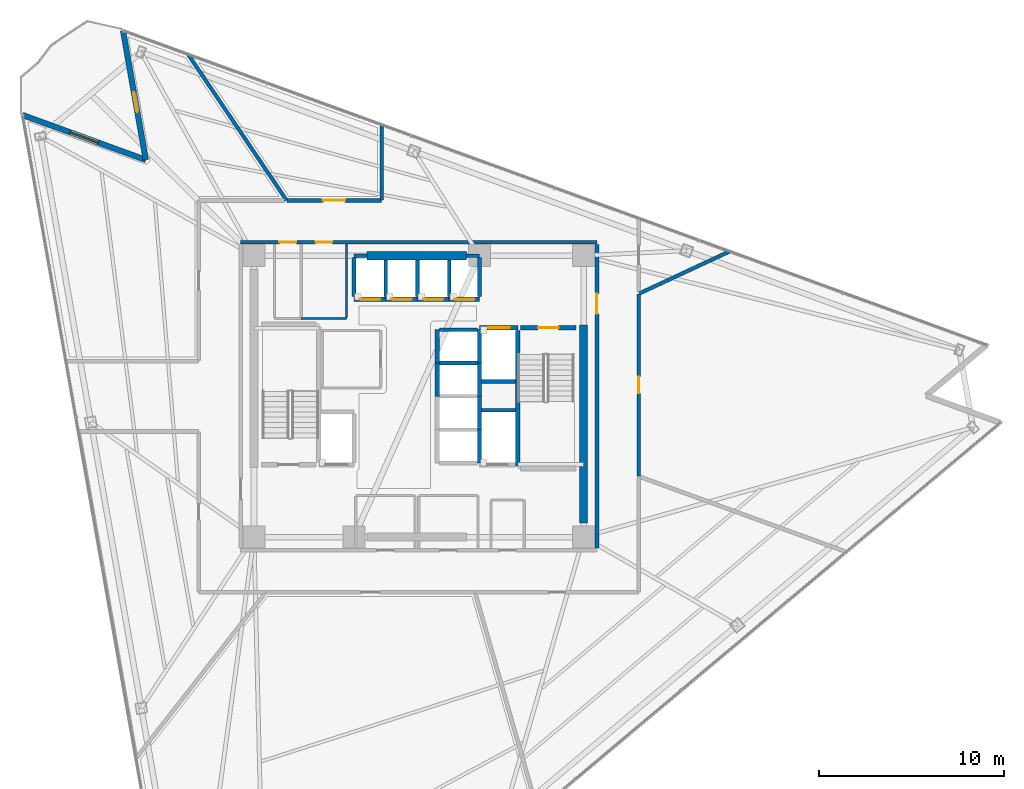
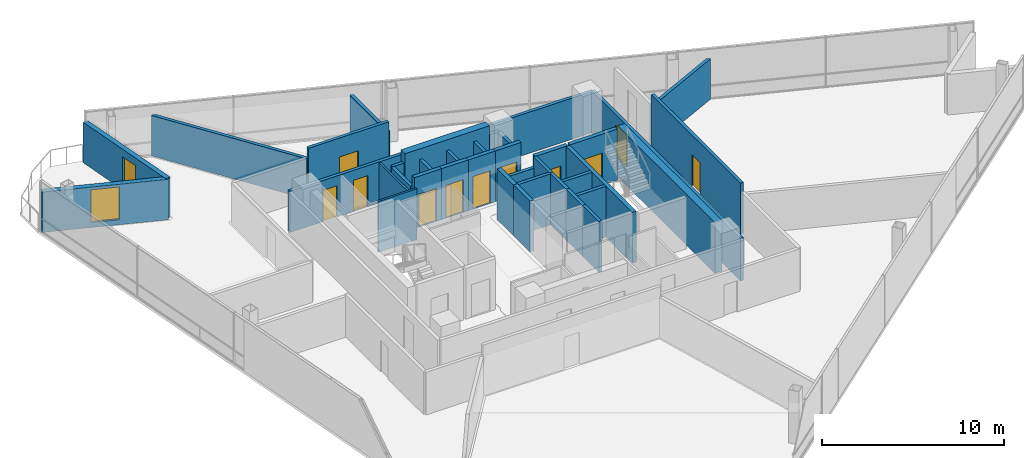
# One storey, part 11 of 16: 37 walls, 12 doors, 1 window, 13 openings.
"""IFC4 building model written with IfcOpenShell, lengths in metres."""

from ifc_helpers import new_model, si_unit, direction, frame, frame_2d, origin, place, context, subcontext, project, spatial, rectangle, extrude, material, layer, layer_set, type_object, element, fill, save


model = new_model("IFC4")

# Units and contexts
model_context = context("Model", 3, precision=1e-05, world=origin(), true_north=direction((0.0, 1.0)))
body_context = subcontext(model_context, "Body", "Model", "MODEL_VIEW")
ifc_project = project(units=[si_unit("LENGTHUNIT", "METRE"), si_unit("AREAUNIT", "SQUARE_METRE"), si_unit("VOLUMEUNIT", "CUBIC_METRE"), si_unit("PLANEANGLEUNIT", "RADIAN"), si_unit("MASSUNIT", "GRAM", prefix="KILO")], contexts=[model_context])

# Site, building, storey
site_placement = place(None, origin())
site = spatial("IfcSite", under=ifc_project, at=site_placement, CompositionType="ELEMENT")
building_placement = place(site_placement, origin())
building = spatial("IfcBuilding", under=site, at=building_placement, Name="Tharavind Bronze Gate", CompositionType="ELEMENT")
storey_placement = place(building_placement, frame((0.0, 0.0, 188.5)))
storey = spatial("IfcBuildingStorey", under=building, at=storey_placement, Name="L48", CompositionType="ELEMENT", Elevation=188.5)

# Wall, opening, door
ifc_material_1 = material(Name="Concrete C40/50", Category="concrete")
ifc_layer_1 = layer(ifc_material_1, 0.300048828125)
ifc_layer_set_1 = layer_set([ifc_layer_1], Name="Concrete C40/50")
wall_type_1 = type_object("IfcWallType", Name="EXTERIOR SPANDREL WALL 300", PredefinedType="STANDARD", material=ifc_layer_set_1)
wall_1_placement = place(storey_placement, frame((-15.97314453125, 19.743408203125, 0.0), z_axis=(0.0, 0.0, 1.0), x_axis=(0.173651569749, -0.984807154891, 0.0)))
wall_1 = element("IfcWall", 1, at=wall_1_placement, inside=storey, type_object=wall_type_1, Name="L48 notch cheek wall 1A", PredefinedType="STANDARD", context=body_context, shape_type="SweptSolid", body=[
    extrude(rectangle(XDim=7.080322265625, YDim=0.300048828125, at=frame_2d((3.5400390625, 0.0))), origin(), (0.0, 0.0, 1.0), 2.715087890625),
])
opening_1_placement = place(wall_1_placement, frame((3.3720703125, 0.0, 0.0)))
opening_1 = element("IfcOpeningElement", 2, at=opening_1_placement, cuts=wall_1, Name="Opening ED04", PredefinedType="OPENING", context=body_context, shape_type="SweptSolid", body=[
    extrude(rectangle(XDim=1.10009765625, YDim=2.199951171875, at=frame_2d((0.550048828125, 1.10009765625))), frame((0.0, 0.15990234375, 0.0), z_axis=(0.0, -1.0, 0.0), x_axis=(1.0, 0.0, 0.0)), (0.0, 0.0, 1.0), 0.320048828125),
])
ifc_material_2 = material(Name="Bronze Aluminium & Toughened Glass", Category="aluminium")
door_type_1 = type_object("IfcDoorType", Name="TREE BALCONY ACCESS DOOR 1100X2200", OperationType="SINGLE_SWING_LEFT", PredefinedType="DOOR", material=ifc_material_2)
door_1_placement = place(opening_1_placement, origin())
door_1 = element("IfcDoor", 3, at=door_1_placement, inside=storey, type_object=door_type_1, Name="L48 tree balcony access door", OperationType="SINGLE_SWING_LEFT", OverallHeight=2.199951171875, OverallWidth=1.10009765625, PredefinedType="DOOR", context=body_context, shape_type="SweptSolid", body=[
    extrude(rectangle(XDim=1.10009765625, YDim=2.199951171875, at=frame_2d((0.550048828125, 1.10009765625))), frame((0.0, 0.02490234375, 0.0), z_axis=(0.0, -1.0, 0.0), x_axis=(1.0, 0.0, 0.0)), (0.0, 0.0, 1.0), 0.050048828125),
])
fill(opening_1, door_1)

# Wall, opening, window
wall_2_placement = place(storey_placement, frame((-14.74365234375, 12.770751953125, 0.0), z_axis=(0.0, 0.0, 1.0), x_axis=(-0.939687665182, 0.342033758429, 0.0)))
wall_2 = element("IfcWall", 4, at=wall_2_placement, inside=storey, type_object=wall_type_1, Name="L48 notch cheek wall 1B", PredefinedType="STANDARD", context=body_context, shape_type="SweptSolid", body=[
    extrude(rectangle(XDim=7.080078125, YDim=0.300048828125, at=frame_2d((3.5400390625, 0.0))), origin(), (0.0, 0.0, 1.0), 2.715087890625),
])
opening_2_placement = place(wall_2_placement, frame((2.739990234375, 0.0, 0.3349609375)))
opening_2 = element("IfcOpeningElement", 5, at=opening_2_placement, cuts=wall_2, Name="Opening W05", PredefinedType="OPENING", context=body_context, shape_type="SweptSolid", body=[
    extrude(rectangle(XDim=1.60009765625, YDim=2.199951171875, at=frame_2d((0.800048828125, 1.10009765625))), frame((0.0, 0.15990234375, 0.0), z_axis=(0.0, -1.0, 0.0), x_axis=(1.0, 0.0, 0.0)), (0.0, 0.0, 1.0), 0.320048828125),
])
ifc_material_3 = material(Name="Bronze Aluminium & Low-E Glass", Category="aluminium")
window_type = type_object("IfcWindowType", Name="OFFICE NOTCH BRONZE WINDOW 1600X2200", PartitioningType="DOUBLE_PANEL_VERTICAL", PredefinedType="WINDOW", material=ifc_material_3)
window_placement = place(opening_2_placement, origin())
window = element("IfcWindow", 6, at=window_placement, inside=storey, type_object=window_type, Name="L48 exterior window WL-L48-NCB1-01", OverallHeight=2.199951171875, OverallWidth=1.60009765625, PartitioningType="SINGLE_PANEL", PredefinedType="WINDOW", context=body_context, shape_type="SweptSolid", body=[
    extrude(rectangle(XDim=1.60009765625, YDim=2.199951171875, at=frame_2d((0.800048828125, 1.10009765625))), frame((0.0, 0.030029296875, 0.0), z_axis=(0.0, -1.0, 0.0), x_axis=(1.0, 0.0, 0.0)), (0.0, 0.0, 1.0), 0.06005859375),
])
fill(opening_2, window)

# Wall, openings, doors
ifc_material_4 = material(Name="Aerated Concrete Block", Category="concrete")
ifc_layer_2 = layer(ifc_material_4, 0.199951171875)
ifc_layer_set_2 = layer_set([ifc_layer_2], Name="Aerated Concrete Block")
wall_type_2 = type_object("IfcWallType", Name="FIRE RATED PARTITION 200", PredefinedType="PARTITIONING", material=ifc_layer_set_2)
wall_3_placement = place(storey_placement, frame((9.6201171875, 8.320068359375, 0.0), z_axis=(0.0, 0.0, 1.0), x_axis=(-1.0, 0.0, 0.0)))
wall_3 = element("IfcWall", 7, at=wall_3_placement, inside=storey, type_object=wall_type_2, Name="L48 north core corridor wall", PredefinedType="PARTITIONING", context=body_context, shape_type="SweptSolid", body=[
    extrude(rectangle(XDim=19.240234375, YDim=0.199951171875, at=frame_2d((9.6201171875, 0.0))), origin(), (0.0, 0.0, 1.0), 2.764892578125),
])
opening_3_placement = place(wall_3_placement, frame((16.2451171875, 0.0, 0.0)))
opening_3 = element("IfcOpeningElement", 8, at=opening_3_placement, cuts=wall_3, Name="Opening ID07", PredefinedType="OPENING", context=body_context, shape_type="SweptSolid", body=[
    extrude(rectangle(XDim=0.89990234375, YDim=2.10009765625, at=frame_2d((0.449951171875, 1.050048828125))), frame((0.0, 0.11009765625, 0.0), z_axis=(0.0, -1.0, 0.0), x_axis=(1.0, 0.0, 0.0)), (0.0, 0.0, 1.0), 0.219951171875),
])
opening_4_placement = place(wall_3_placement, frame((14.294921875, 0.0, 0.0)))
opening_4 = element("IfcOpeningElement", 9, at=opening_4_placement, cuts=wall_3, Name="Opening ID07", PredefinedType="OPENING", context=body_context, shape_type="SweptSolid", body=[
    extrude(rectangle(XDim=0.89990234375, YDim=2.10009765625, at=frame_2d((0.449951171875, 1.050048828125))), frame((0.0, 0.11009765625, 0.0), z_axis=(0.0, -1.0, 0.0), x_axis=(1.0, 0.0, 0.0)), (0.0, 0.0, 1.0), 0.219951171875),
])
ifc_material_5 = material(Name="Galvanised Fire Steel", Category="steel")
door_type_2 = type_object("IfcDoorType", Name="PLANT AND RISER FIRE DOOR 900X2100", OperationType="SINGLE_SWING_LEFT", PredefinedType="DOOR", material=ifc_material_5)
door_2_placement = place(opening_3_placement, frame((0.89990234375, 0.0, 0.0), z_axis=(0.0, 0.0, 1.0), x_axis=(-1.0, 0.0, 0.0)))
door_2 = element("IfcDoor", 10, at=door_2_placement, inside=storey, type_object=door_type_2, Name="L48 Battery Backup Cupboard fire door", OperationType="SINGLE_SWING_LEFT", OverallHeight=2.10009765625, OverallWidth=0.89990234375, PredefinedType="DOOR", context=body_context, shape_type="SweptSolid", body=[
    extrude(rectangle(XDim=0.89990234375, YDim=2.10009765625, at=frame_2d((0.449951171875, 1.050048828125))), frame((0.0, 0.02490234375, 0.0), z_axis=(0.0, -1.0, 0.0), x_axis=(1.0, 0.0, 0.0)), (0.0, 0.0, 1.0), 0.050048828125),
])
fill(opening_3, door_2)
door_3_placement = place(opening_4_placement, frame((0.89990234375, 0.0, 0.0), z_axis=(0.0, 0.0, 1.0), x_axis=(-1.0, 0.0, 0.0)))
door_3 = element("IfcDoor", 11, at=door_3_placement, inside=storey, type_object=door_type_2, Name="L48 Cleaner Store Room fire door", OperationType="SINGLE_SWING_LEFT", OverallHeight=2.10009765625, OverallWidth=0.89990234375, PredefinedType="DOOR", context=body_context, shape_type="SweptSolid", body=[
    extrude(rectangle(XDim=0.89990234375, YDim=2.10009765625, at=frame_2d((0.449951171875, 1.050048828125))), frame((0.0, 0.02490234375, 0.0), z_axis=(0.0, -1.0, 0.0), x_axis=(1.0, 0.0, 0.0)), (0.0, 0.0, 1.0), 0.050048828125),
])
fill(opening_4, door_3)

# Wall, opening, door
wall_4_placement = place(storey_placement, frame((9.6201171875, -8.199951171875, 0.0), z_axis=(0.0, 0.0, 1.0), x_axis=(0.0, 1.0, 0.0)))
wall_4 = element("IfcWall", 12, at=wall_4_placement, inside=storey, type_object=wall_type_2, Name="L48 east core corridor wall", PredefinedType="PARTITIONING", context=body_context, shape_type="SweptSolid", body=[
    extrude(rectangle(XDim=16.39990234375, YDim=0.199951171875, at=frame_2d((8.199951171875, 0.0))), origin(), (0.0, 0.0, 1.0), 2.864990234375),
])
opening_5_placement = place(wall_4_placement, frame((12.64990234375, 0.0, 0.0)))
opening_5 = element("IfcOpeningElement", 13, at=opening_5_placement, cuts=wall_4, Name="Opening ID01", PredefinedType="OPENING", context=body_context, shape_type="SweptSolid", body=[
    extrude(rectangle(XDim=1.10009765625, YDim=2.14990234375, at=frame_2d((0.550048828125, 1.074951171875))), frame((0.0, 0.11009765625, 0.0), z_axis=(0.0, -1.0, 0.0), x_axis=(1.0, 0.0, 0.0)), (0.0, 0.0, 1.0), 0.219951171875),
])
ifc_material_6 = material(Name="Fire-Rated Steel", Category="steel")
door_type_3 = type_object("IfcDoorType", Name="STAIR CORE FIRE DOOR 1100X2150", OperationType="SINGLE_SWING_LEFT", PredefinedType="DOOR", material=ifc_material_6)
door_4_placement = place(opening_5_placement, frame((1.10009765625, 0.0, 0.0), z_axis=(0.0, 0.0, 1.0), x_axis=(-1.0, 0.0, 0.0)))
door_4 = element("IfcDoor", 14, at=door_4_placement, inside=storey, type_object=door_type_3, Name="L48 north east stair lobby fire door", OperationType="SINGLE_SWING_LEFT", OverallHeight=2.14990234375, OverallWidth=1.10009765625, PredefinedType="DOOR", context=body_context, shape_type="SweptSolid", body=[
    extrude(rectangle(XDim=1.10009765625, YDim=2.14990234375, at=frame_2d((0.550048828125, 1.074951171875))), frame((0.0, 0.02490234375, 0.0), z_axis=(0.0, -1.0, 0.0), x_axis=(1.0, 0.0, 0.0)), (0.0, 0.0, 1.0), 0.050048828125),
])
fill(opening_5, door_4)

# Walls
wall_5_placement = place(storey_placement, frame((16.77685546875, 7.8232421875, 0.0), z_axis=(0.0, 0.0, 1.0), x_axis=(-0.906309845739, -0.42261384681, 0.0)))
element("IfcWall", 15, at=wall_5_placement, inside=storey, type_object=wall_type_2, Name="L48 Cloud Engineering Open Office partition", PredefinedType="PARTITIONING", context=body_context, shape_type="SweptSolid", body=[
    extrude(rectangle(XDim=5.36376953125, YDim=0.199951171875, at=frame_2d((2.681884765625, 0.0))), origin(), (0.0, 0.0, 1.0), 2.715087890625),
])
wall_6_placement = place(storey_placement, frame((-2.0, 14.657470703125, 0.0), z_axis=(0.0, 0.0, 1.0), x_axis=(0.0, -1.0, 0.0)))
element("IfcWall", 16, at=wall_6_placement, inside=storey, type_object=wall_type_2, Name="L48 Scrum Huddle Room partition", PredefinedType="PARTITIONING", context=body_context, shape_type="SweptSolid", body=[
    extrude(rectangle(XDim=4.052490234375, YDim=0.199951171875, at=frame_2d((2.0263671875, 0.0))), origin(), (0.0, 0.0, 1.0), 2.715087890625),
])

# Wall, opening, door
wall_7_placement = place(storey_placement, frame((-2.02490234375, 10.580078125, 0.0), z_axis=(0.0, 0.0, 1.0), x_axis=(-1.0, 0.0, 0.0)))
wall_7 = element("IfcWall", 17, at=wall_7_placement, inside=storey, type_object=wall_type_2, Name="L48 Scrum Huddle Room partition", PredefinedType="PARTITIONING", context=body_context, shape_type="SweptSolid", body=[
    extrude(rectangle(XDim=5.09814453125, YDim=0.199951171875, at=frame_2d((2.549072265625, 0.0))), origin(), (0.0, 0.0, 1.0), 3.419921875),
])
opening_6_placement = place(wall_7_placement, frame((1.948974609375, 0.0, 0.0)))
opening_6 = element("IfcOpeningElement", 18, at=opening_6_placement, cuts=wall_7, Name="Opening ID05", PredefinedType="OPENING", context=body_context, shape_type="SweptSolid", body=[
    extrude(rectangle(XDim=1.199951171875, YDim=2.14990234375, at=frame_2d((0.60009765625, 1.074951171875))), frame((0.0, 0.11009765625, 0.0), z_axis=(0.0, -1.0, 0.0), x_axis=(1.0, 0.0, 0.0)), (0.0, 0.0, 1.0), 0.219951171875),
])
ifc_material_7 = material(Name="Acoustic Laminated Glass", Category="glass")
door_type_4 = type_object("IfcDoorType", Name="MEETING ROOM GLAZED DOOR 1200X2150", OperationType="SINGLE_SWING_LEFT", PredefinedType="DOOR", material=ifc_material_7)
door_5_placement = place(opening_6_placement, origin())
door_5 = element("IfcDoor", 19, at=door_5_placement, inside=storey, type_object=door_type_4, Name="L48 Scrum Huddle Room door", OperationType="SINGLE_SWING_LEFT", OverallHeight=2.14990234375, OverallWidth=1.199951171875, PredefinedType="DOOR", context=body_context, shape_type="SweptSolid", body=[
    extrude(rectangle(XDim=1.199951171875, YDim=2.14990234375, at=frame_2d((0.60009765625, 1.074951171875))), frame((0.0, 0.02490234375, 0.0), z_axis=(0.0, -1.0, 0.0), x_axis=(1.0, 0.0, 0.0)), (0.0, 0.0, 1.0), 0.050048828125),
])
fill(opening_6, door_5)

# Wall
wall_8_placement = place(storey_placement, frame((-7.143798828125, 10.591064453125, 0.0), z_axis=(0.0, 0.0, 1.0), x_axis=(-0.559202092663, 0.829031374292, 0.0)))
element("IfcWall", 20, at=wall_8_placement, inside=storey, type_object=wall_type_2, Name="L48 Scrum Huddle Room partition", PredefinedType="PARTITIONING", context=body_context, shape_type="SweptSolid", body=[
    extrude(rectangle(XDim=9.494140625, YDim=0.199951171875, at=frame_2d((4.7470703125, 0.0))), origin(), (0.0, 0.0, 1.0), 2.715087890625),
])

# Wall, opening, door
wall_9_placement = place(storey_placement, frame((11.8798828125, -4.306396484375, 0.0), z_axis=(0.0, 0.0, 1.0), x_axis=(0.0, 1.0, 0.0)))
wall_9 = element("IfcWall", 21, at=wall_9_placement, inside=storey, type_object=wall_type_2, Name="L48 Barista Tea Pantry partition", PredefinedType="PARTITIONING", context=body_context, shape_type="SweptSolid", body=[
    extrude(rectangle(XDim=9.830078125, YDim=0.199951171875, at=frame_2d((4.9150390625, 0.0))), origin(), (0.0, 0.0, 1.0), 3.419921875),
])
opening_7_placement = place(wall_9_placement, frame((4.465087890625, 0.0, 0.0)))
opening_7 = element("IfcOpeningElement", 22, at=opening_7_placement, cuts=wall_9, Name="Opening ID07", PredefinedType="OPENING", context=body_context, shape_type="SweptSolid", body=[
    extrude(rectangle(XDim=0.89990234375, YDim=2.10009765625, at=frame_2d((0.449951171875, 1.050048828125))), frame((0.0, 0.11009765625, 0.0), z_axis=(0.0, -1.0, 0.0), x_axis=(1.0, 0.0, 0.0)), (0.0, 0.0, 1.0), 0.219951171875),
])
door_6_placement = place(opening_7_placement, origin())
door_6 = element("IfcDoor", 23, at=door_6_placement, inside=storey, type_object=door_type_2, Name="L48 Barista Tea Pantry door", OperationType="SINGLE_SWING_LEFT", OverallHeight=2.10009765625, OverallWidth=0.89990234375, PredefinedType="DOOR", context=body_context, shape_type="SweptSolid", body=[
    extrude(rectangle(XDim=0.89990234375, YDim=2.10009765625, at=frame_2d((0.449951171875, 1.050048828125))), frame((0.0, 0.02490234375, 0.0), z_axis=(0.0, -1.0, 0.0), x_axis=(1.0, 0.0, 0.0)), (0.0, 0.0, 1.0), 0.050048828125),
])
fill(opening_7, door_6)

# Walls
ifc_material_8 = material(Name="Metal Stud Gypsum Partition", Category="gypsum")
ifc_layer_3 = layer(ifc_material_8, 0.1201171875)
ifc_layer_set_3 = layer_set([ifc_layer_3], Name="Metal Stud Gypsum Partition")
wall_type_3 = type_object("IfcWallType", Name="INTERIOR PARTITION WALL 120", PredefinedType="PARTITIONING", material=ifc_layer_set_3)
wall_10_placement = place(storey_placement, frame((-6.35009765625, 4.199951171875, 0.0), z_axis=(0.0, 0.0, 1.0), x_axis=(1.0, 0.0, 0.0)))
element("IfcWall", 24, at=wall_10_placement, inside=storey, type_object=wall_type_3, Name="L48 Cleaner Store Room partition 1", PredefinedType="PARTITIONING", context=body_context, shape_type="SweptSolid", body=[
    extrude(rectangle(XDim=2.4501953125, YDim=0.1201171875, at=frame_2d((1.22509765625, 0.0))), origin(), (0.0, 0.0, 1.0), 3.419921875),
])
wall_11_placement = place(storey_placement, frame((-3.89990234375, 4.264892578125, 0.0), z_axis=(0.0, 0.0, 1.0), x_axis=(0.0, 1.0, 0.0)))
element("IfcWall", 25, at=wall_11_placement, inside=storey, type_object=wall_type_3, Name="L48 Cleaner Store Room partition 2", PredefinedType="PARTITIONING", context=body_context, shape_type="SweptSolid", body=[
    extrude(rectangle(XDim=3.9501953125, YDim=0.1201171875, at=frame_2d((1.97509765625, 0.0))), origin(), (0.0, 0.0, 1.0), 2.715087890625),
])
ifc_material_9 = material(Name="Concrete C50/60", Category="concrete")
ifc_layer_4 = layer(ifc_material_9, 0.25)
ifc_layer_set_4 = layer_set([ifc_layer_4], Name="Concrete C50/60")
wall_type_4 = type_object("IfcWallType", Name="RC CORE SHEAR WALL 250", PredefinedType="SHEAR", material=ifc_layer_set_4)
wall_12_placement = place(storey_placement, frame((5.35009765625, -3.75, 0.0), z_axis=(0.0, 0.0, 1.0), x_axis=(0.0, 1.0, 0.0)))
element("IfcWall", 26, at=wall_12_placement, inside=storey, type_object=wall_type_4, Name="L48 ST2 shaft west wall", PredefinedType="SHEAR", context=body_context, shape_type="SweptSolid", body=[
    extrude(rectangle(XDim=7.300048828125, YDim=0.25, at=frame_2d((3.64990234375, 0.0))), origin(), (0.0, 0.0, 1.0), 3.419921875),
])

# Wall, opening, door
wall_13_placement = place(storey_placement, frame((5.5, 3.699951171875, 0.0), z_axis=(0.0, 0.0, 1.0), x_axis=(1.0, 0.0, 0.0)))
wall_13 = element("IfcWall", 27, at=wall_13_placement, inside=storey, type_object=wall_type_4, Name="L48 ST2 shaft north wall", PredefinedType="SHEAR", context=body_context, shape_type="SweptSolid", body=[
    extrude(rectangle(XDim=3.0, YDim=0.25, at=frame_2d((1.5, 0.0))), origin(), (0.0, 0.0, 1.0), 3.419921875),
])
opening_8_placement = place(wall_13_placement, frame((0.949951171875, 0.0, 0.0)))
opening_8 = element("IfcOpeningElement", 28, at=opening_8_placement, cuts=wall_13, Name="Opening ID01", PredefinedType="OPENING", context=body_context, shape_type="SweptSolid", body=[
    extrude(rectangle(XDim=1.10009765625, YDim=2.14990234375, at=frame_2d((0.550048828125, 1.074951171875))), frame((0.0, 0.135, 0.0), z_axis=(0.0, -1.0, 0.0), x_axis=(1.0, 0.0, 0.0)), (0.0, 0.0, 1.0), 0.27),
])
door_7_placement = place(opening_8_placement, frame((1.10009765625, 0.0, 0.0), z_axis=(0.0, 0.0, 1.0), x_axis=(-1.0, 0.0, 0.0)))
door_7 = element("IfcDoor", 29, at=door_7_placement, inside=storey, type_object=door_type_3, Name="L48 exit stair ST2 fire door", OperationType="SINGLE_SWING_LEFT", OverallHeight=2.14990234375, OverallWidth=1.10009765625, PredefinedType="DOOR", context=body_context, shape_type="SweptSolid", body=[
    extrude(rectangle(XDim=1.10009765625, YDim=2.14990234375, at=frame_2d((0.550048828125, 1.074951171875))), frame((0.0, 0.02490234375, 0.0), z_axis=(0.0, -1.0, 0.0), x_axis=(1.0, 0.0, 0.0)), (0.0, 0.0, 1.0), 0.050048828125),
])
fill(opening_8, door_7)

wall_14_placement = place(storey_placement, frame((-3.5, 5.25, 0.0), z_axis=(0.0, 0.0, 1.0), x_axis=(1.0, 0.0, 0.0)))
wall_14 = element("IfcWall", 30, at=wall_14_placement, inside=storey, type_object=wall_type_4, Name="L48 lift PL5 shaft front wall", PredefinedType="SHEAR", context=body_context, shape_type="SweptSolid", body=[
    extrude(rectangle(XDim=1.71240234375, YDim=0.25, at=frame_2d((0.856201171875, 0.0))), origin(), (0.0, 0.0, 1.0), 3.419921875),
])
opening_9_placement = place(wall_14_placement, frame((0.305908203125, 0.0, 0.0)))
opening_9 = element("IfcOpeningElement", 31, at=opening_9_placement, cuts=wall_14, Name="Opening LD01", PredefinedType="OPENING", context=body_context, shape_type="SweptSolid", body=[
    extrude(rectangle(XDim=1.10009765625, YDim=2.199951171875, at=frame_2d((0.550048828125, 1.10009765625))), frame((0.0, 0.135, 0.0), z_axis=(0.0, -1.0, 0.0), x_axis=(1.0, 0.0, 0.0)), (0.0, 0.0, 1.0), 0.27),
])
ifc_material_10 = material(Name="Brushed Bronze Stainless Steel", Category="steel")
door_type_5 = type_object("IfcDoorType", Name="LIFT LANDING SLIDING DOOR 1100X2200", OperationType="SLIDING_TO_LEFT", PredefinedType="DOOR", material=ifc_material_10)
door_8_placement = place(opening_9_placement, origin())
door_8 = element("IfcDoor", 32, at=door_8_placement, inside=storey, type_object=door_type_5, Name="L48 lift PL5 sliding landing door", OperationType="SLIDING_TO_LEFT", OverallHeight=2.199951171875, OverallWidth=1.10009765625, PredefinedType="DOOR", context=body_context, shape_type="SweptSolid", body=[
    extrude(rectangle(XDim=1.10009765625, YDim=2.199951171875, at=frame_2d((0.550048828125, 1.10009765625))), frame((0.0, 0.02490234375, 0.0), z_axis=(0.0, -1.0, 0.0), x_axis=(1.0, 0.0, 0.0)), (0.0, 0.0, 1.0), 0.050048828125),
])
fill(opening_9, door_8)

wall_15_placement = place(storey_placement, frame((-1.78759765625, 5.25, 0.0), z_axis=(0.0, 0.0, 1.0), x_axis=(1.0, 0.0, 0.0)))
wall_15 = element("IfcWall", 33, at=wall_15_placement, inside=storey, type_object=wall_type_4, Name="L48 lift PL6 shaft front wall", PredefinedType="SHEAR", context=body_context, shape_type="SweptSolid", body=[
    extrude(rectangle(XDim=1.712646484375, YDim=0.25, at=frame_2d((0.8564453125, 0.0))), origin(), (0.0, 0.0, 1.0), 3.419921875),
])
opening_10_placement = place(wall_15_placement, frame((0.305908203125, 0.0, 0.0)))
opening_10 = element("IfcOpeningElement", 34, at=opening_10_placement, cuts=wall_15, Name="Opening LD01", PredefinedType="OPENING", context=body_context, shape_type="SweptSolid", body=[
    extrude(rectangle(XDim=1.10009765625, YDim=2.199951171875, at=frame_2d((0.550048828125, 1.10009765625))), frame((0.0, 0.135, 0.0), z_axis=(0.0, -1.0, 0.0), x_axis=(1.0, 0.0, 0.0)), (0.0, 0.0, 1.0), 0.27),
])
door_9_placement = place(opening_10_placement, origin())
door_9 = element("IfcDoor", 35, at=door_9_placement, inside=storey, type_object=door_type_5, Name="L48 lift PL6 sliding landing door", OperationType="SLIDING_TO_LEFT", OverallHeight=2.199951171875, OverallWidth=1.10009765625, PredefinedType="DOOR", context=body_context, shape_type="SweptSolid", body=[
    extrude(rectangle(XDim=1.10009765625, YDim=2.199951171875, at=frame_2d((0.550048828125, 1.10009765625))), frame((0.0, 0.02490234375, 0.0), z_axis=(0.0, -1.0, 0.0), x_axis=(1.0, 0.0, 0.0)), (0.0, 0.0, 1.0), 0.050048828125),
])
fill(opening_10, door_9)

wall_16_placement = place(storey_placement, frame((-0.074951171875, 5.25, 0.0), z_axis=(0.0, 0.0, 1.0), x_axis=(1.0, 0.0, 0.0)))
wall_16 = element("IfcWall", 36, at=wall_16_placement, inside=storey, type_object=wall_type_4, Name="L48 lift PL7 shaft front wall", PredefinedType="SHEAR", context=body_context, shape_type="SweptSolid", body=[
    extrude(rectangle(XDim=1.71240234375, YDim=0.25, at=frame_2d((0.856201171875, 0.0))), origin(), (0.0, 0.0, 1.0), 3.419921875),
])
opening_11_placement = place(wall_16_placement, frame((0.305908203125, 0.0, 0.0)))
opening_11 = element("IfcOpeningElement", 37, at=opening_11_placement, cuts=wall_16, Name="Opening LD01", PredefinedType="OPENING", context=body_context, shape_type="SweptSolid", body=[
    extrude(rectangle(XDim=1.10009765625, YDim=2.199951171875, at=frame_2d((0.550048828125, 1.10009765625))), frame((0.0, 0.135, 0.0), z_axis=(0.0, -1.0, 0.0), x_axis=(1.0, 0.0, 0.0)), (0.0, 0.0, 1.0), 0.27),
])
door_10_placement = place(opening_11_placement, origin())
door_10 = element("IfcDoor", 38, at=door_10_placement, inside=storey, type_object=door_type_5, Name="L48 lift PL7 sliding landing door", OperationType="SLIDING_TO_LEFT", OverallHeight=2.199951171875, OverallWidth=1.10009765625, PredefinedType="DOOR", context=body_context, shape_type="SweptSolid", body=[
    extrude(rectangle(XDim=1.10009765625, YDim=2.199951171875, at=frame_2d((0.550048828125, 1.10009765625))), frame((0.0, 0.02490234375, 0.0), z_axis=(0.0, -1.0, 0.0), x_axis=(1.0, 0.0, 0.0)), (0.0, 0.0, 1.0), 0.050048828125),
])
fill(opening_11, door_10)

wall_17_placement = place(storey_placement, frame((1.637451171875, 5.25, 0.0), z_axis=(0.0, 0.0, 1.0), x_axis=(1.0, 0.0, 0.0)))
wall_17 = element("IfcWall", 39, at=wall_17_placement, inside=storey, type_object=wall_type_4, Name="L48 lift PL8 shaft front wall", PredefinedType="SHEAR", context=body_context, shape_type="SweptSolid", body=[
    extrude(rectangle(XDim=1.642578125, YDim=0.25, at=frame_2d((0.8212890625, 0.0))), origin(), (0.0, 0.0, 1.0), 3.419921875),
])
opening_12_placement = place(wall_17_placement, frame((0.27099609375, 0.0, 0.0)))
opening_12 = element("IfcOpeningElement", 40, at=opening_12_placement, cuts=wall_17, Name="Opening LD01", PredefinedType="OPENING", context=body_context, shape_type="SweptSolid", body=[
    extrude(rectangle(XDim=1.10009765625, YDim=2.199951171875, at=frame_2d((0.550048828125, 1.10009765625))), frame((0.0, 0.135, 0.0), z_axis=(0.0, -1.0, 0.0), x_axis=(1.0, 0.0, 0.0)), (0.0, 0.0, 1.0), 0.27),
])
door_11_placement = place(opening_12_placement, origin())
door_11 = element("IfcDoor", 41, at=door_11_placement, inside=storey, type_object=door_type_5, Name="L48 lift PL8 sliding landing door", OperationType="SLIDING_TO_LEFT", OverallHeight=2.199951171875, OverallWidth=1.10009765625, PredefinedType="DOOR", context=body_context, shape_type="SweptSolid", body=[
    extrude(rectangle(XDim=1.10009765625, YDim=2.199951171875, at=frame_2d((0.550048828125, 1.10009765625))), frame((0.0, 0.02490234375, 0.0), z_axis=(0.0, -1.0, 0.0), x_axis=(1.0, 0.0, 0.0)), (0.0, 0.0, 1.0), 0.050048828125),
])
fill(opening_12, door_11)

# Walls
for number, where, z_axis, x_axis, name in (
    (42, (1.0, 0.0, 0.0), (0.0, 0.0, 1.0), (0.0, 1.0, 0.0), "L48 lift PL11 shaft front wall"),
    (43, (1.0, 1.800048828125, 0.0), (0.0, 0.0, 1.0), (0.0, 1.0, 0.0), "L48 lift PL12 shaft front wall"),
):
    element("IfcWall", number, at=place(storey_placement, frame(where, z_axis=z_axis, x_axis=x_axis)), inside=storey, type_object=wall_type_4, Name=name, PredefinedType="SHEAR", context=body_context, shape_type="SweptSolid", body=[
        extrude(rectangle(XDim=1.800048828125, YDim=0.25, at=frame_2d((0.89990234375, 0.0))), origin(), (0.0, 0.0, 1.0), 3.419921875),
    ])

# Wall, opening, door
wall_18_placement = place(storey_placement, frame((3.280029296875, 3.699951171875, 0.0), z_axis=(0.0, 0.0, 1.0), x_axis=(1.0, 0.0, 0.0)))
wall_18 = element("IfcWall", 44, at=wall_18_placement, inside=storey, type_object=wall_type_4, Name="L48 lift FFL2 shaft front wall", PredefinedType="SHEAR", context=body_context, shape_type="SweptSolid", body=[
    extrude(rectangle(XDim=2.070068359375, YDim=0.25, at=frame_2d((1.03515625, 0.0))), origin(), (0.0, 0.0, 1.0), 3.419921875),
])
opening_13_placement = place(wall_18_placement, frame((0.43505859375, 0.0, 0.0)))
opening_13 = element("IfcOpeningElement", 45, at=opening_13_placement, cuts=wall_18, Name="Opening LD02", PredefinedType="OPENING", context=body_context, shape_type="SweptSolid", body=[
    extrude(rectangle(XDim=1.199951171875, YDim=2.199951171875, at=frame_2d((0.60009765625, 1.10009765625))), frame((0.0, 0.135, 0.0), z_axis=(0.0, -1.0, 0.0), x_axis=(1.0, 0.0, 0.0)), (0.0, 0.0, 1.0), 0.27),
])
ifc_material_11 = material(Name="Brushed Stainless Steel", Category="steel")
door_type_6 = type_object("IfcDoorType", Name="FIREFIGHTING LIFT LANDING DOOR 1200X2200", OperationType="SLIDING_TO_RIGHT", PredefinedType="DOOR", material=ifc_material_11)
door_12_placement = place(opening_13_placement, origin())
door_12 = element("IfcDoor", 46, at=door_12_placement, inside=storey, type_object=door_type_6, Name="L48 lift FFL2 sliding landing door", OperationType="SLIDING_TO_RIGHT", OverallHeight=2.199951171875, OverallWidth=1.199951171875, PredefinedType="DOOR", context=body_context, shape_type="SweptSolid", body=[
    extrude(rectangle(XDim=1.199951171875, YDim=2.199951171875, at=frame_2d((0.60009765625, 1.10009765625))), frame((0.0, 0.02490234375, 0.0), z_axis=(0.0, -1.0, 0.0), x_axis=(1.0, 0.0, 0.0)), (0.0, 0.0, 1.0), 0.050048828125),
])
fill(opening_13, door_12)

# Walls
ifc_material_12 = material(Name="Concrete C60/75", Category="concrete")
ifc_layer_5 = layer(ifc_material_12, 0.449951171875)
ifc_layer_set_5 = layer_set([ifc_layer_5], Name="Concrete C60/75")
wall_type_5 = type_object("IfcWallType", Name="RC CORE SHEAR WALL 450", PredefinedType="SHEAR", material=ifc_layer_set_5)
wall_19_placement = place(storey_placement, frame((-2.800048828125, 7.60009765625, 0.0), z_axis=(0.0, 0.0, 1.0), x_axis=(1.0, 0.0, 0.0)))
element("IfcWall", 47, at=wall_19_placement, inside=storey, type_object=wall_type_5, Name="L48 north core shear wall", PredefinedType="SHEAR", context=body_context, shape_type="SweptSolid", body=[
    extrude(rectangle(XDim=5.380126953125, YDim=0.449951171875, at=frame_2d((2.68994140625, 0.0))), origin(), (0.0, 0.0, 1.0), 3.419921875),
])
wall_20_placement = place(storey_placement, frame((8.89990234375, -6.85009765625, 0.0), z_axis=(0.0, 0.0, 1.0), x_axis=(0.0, 1.0, 0.0)))
element("IfcWall", 48, at=wall_20_placement, inside=storey, type_object=wall_type_5, Name="L48 east core shear wall", PredefinedType="SHEAR", context=body_context, shape_type="SweptSolid", body=[
    extrude(rectangle(XDim=10.7001953125, YDim=0.449951171875, at=frame_2d((5.35009765625, 0.0))), origin(), (0.0, 0.0, 1.0), 3.419921875),
])
ifc_layer_6 = layer(ifc_material_1, 0.199951171875)
ifc_layer_set_6 = layer_set([ifc_layer_6], Name="Concrete C40/50")
wall_type_6 = type_object("IfcWallType", Name="SHAFT ENCLOSURE WALL 200", PredefinedType="PARTITIONING", material=ifc_layer_set_6)
wall_21_placement = place(storey_placement, frame((-3.5, 7.60009765625, 0.0), z_axis=(0.0, 0.0, 1.0), x_axis=(1.0, 0.0, 0.0)))
element("IfcWall", 49, at=wall_21_placement, inside=storey, type_object=wall_type_6, Name="L48 lift PL5 shaft N enclosure wall", PredefinedType="PARTITIONING", context=body_context, shape_type="SweptSolid", body=[
    extrude(rectangle(XDim=0.699951171875, YDim=0.199951171875, at=frame_2d((0.35009765625, 0.0))), origin(), (0.0, 0.0, 1.0), 2.715087890625),
])
wall_22_placement = place(storey_placement, frame((-3.5, 5.3798828125, 0.0), z_axis=(0.0, 0.0, 1.0), x_axis=(0.0, 1.0, 0.0)))
element("IfcWall", 50, at=wall_22_placement, inside=storey, type_object=wall_type_6, Name="L48 lift PL5 shaft W enclosure wall", PredefinedType="PARTITIONING", context=body_context, shape_type="SweptSolid", body=[
    extrude(rectangle(XDim=2.115234375, YDim=0.199951171875, at=frame_2d((1.0576171875, 0.0))), origin(), (0.0, 0.0, 1.0), 2.715087890625),
])
for number, where, z_axis, x_axis, name in (
    (51, (-1.78759765625, 5.3798828125, 0.0), (0.0, 0.0, 1.0), (0.0, 1.0, 0.0), "L48 lift PL5 shaft E enclosure wall"),
    (52, (-0.074951171875, 5.3798828125, 0.0), (0.0, 0.0, 1.0), (0.0, 1.0, 0.0), "L48 lift PL6 shaft E enclosure wall"),
    (53, (1.637451171875, 5.3798828125, 0.0), (0.0, 0.0, 1.0), (0.0, 1.0, 0.0), "L48 lift PL7 shaft E enclosure wall"),
):
    element("IfcWall", number, at=place(storey_placement, frame(where, z_axis=z_axis, x_axis=x_axis)), inside=storey, type_object=wall_type_6, Name=name, PredefinedType="PARTITIONING", context=body_context, shape_type="SweptSolid", body=[
        extrude(rectangle(XDim=1.990234375, YDim=0.199951171875, at=frame_2d((0.9951171875, 0.0))), origin(), (0.0, 0.0, 1.0), 2.715087890625),
    ])
wall_23_placement = place(storey_placement, frame((2.580078125, 7.60009765625, 0.0), z_axis=(0.0, 0.0, 1.0), x_axis=(1.0, 0.0, 0.0)))
element("IfcWall", 54, at=wall_23_placement, inside=storey, type_object=wall_type_6, Name="L48 lift PL8 shaft N enclosure wall", PredefinedType="PARTITIONING", context=body_context, shape_type="SweptSolid", body=[
    extrude(rectangle(XDim=0.699951171875, YDim=0.199951171875, at=frame_2d((0.35009765625, 0.0))), origin(), (0.0, 0.0, 1.0), 2.715087890625),
])
wall_24_placement = place(storey_placement, frame((3.280029296875, 5.3798828125, 0.0), z_axis=(0.0, 0.0, 1.0), x_axis=(0.0, 1.0, 0.0)))
element("IfcWall", 55, at=wall_24_placement, inside=storey, type_object=wall_type_6, Name="L48 lift PL8 shaft E enclosure wall", PredefinedType="PARTITIONING", context=body_context, shape_type="SweptSolid", body=[
    extrude(rectangle(XDim=2.115234375, YDim=0.199951171875, at=frame_2d((1.0576171875, 0.0))), origin(), (0.0, 0.0, 1.0), 2.715087890625),
])
for number, where, z_axis, x_axis, name in (
    (56, (3.280029296875, -3.60009765625, 0.0), (0.0, 0.0, 1.0), (0.0, 1.0, 0.0), "L48 lift PL9 shaft E enclosure wall"),
    (57, (3.280029296875, -1.800048828125, 0.0), (0.0, 0.0, 1.0), (0.0, 1.0, 0.0), "L48 lift PL10 shaft E enclosure wall"),
    (58, (3.280029296875, 0.0, 0.0), (0.0, 0.0, 1.0), (0.0, 1.0, 0.0), "L48 lift PL11 shaft E enclosure wall"),
):
    element("IfcWall", number, at=place(storey_placement, frame(where, z_axis=z_axis, x_axis=x_axis)), inside=storey, type_object=wall_type_6, Name=name, PredefinedType="PARTITIONING", context=body_context, shape_type="SweptSolid", body=[
        extrude(rectangle(XDim=1.800048828125, YDim=0.199951171875, at=frame_2d((0.89990234375, 0.0))), origin(), (0.0, 0.0, 1.0), 3.419921875),
    ])
wall_25_placement = place(storey_placement, frame((1.1298828125, 1.800048828125, 0.0), z_axis=(0.0, 0.0, 1.0), x_axis=(1.0, 0.0, 0.0)))
element("IfcWall", 59, at=wall_25_placement, inside=storey, type_object=wall_type_6, Name="L48 lift PL11 shaft N enclosure wall", PredefinedType="PARTITIONING", context=body_context, shape_type="SweptSolid", body=[
    extrude(rectangle(XDim=2.045166015625, YDim=0.199951171875, at=frame_2d((1.0224609375, 0.0))), origin(), (0.0, 0.0, 1.0), 3.419921875),
])
wall_26_placement = place(storey_placement, frame((3.280029296875, 1.800048828125, 0.0), z_axis=(0.0, 0.0, 1.0), x_axis=(0.0, 1.0, 0.0)))
element("IfcWall", 60, at=wall_26_placement, inside=storey, type_object=wall_type_6, Name="L48 lift PL12 shaft E enclosure wall", PredefinedType="PARTITIONING", context=body_context, shape_type="SweptSolid", body=[
    extrude(rectangle(XDim=1.800048828125, YDim=0.199951171875, at=frame_2d((0.89990234375, 0.0))), origin(), (0.0, 0.0, 1.0), 3.419921875),
])
wall_27_placement = place(storey_placement, frame((1.1298828125, 3.60009765625, 0.0), z_axis=(0.0, 0.0, 1.0), x_axis=(1.0, 0.0, 0.0)))
element("IfcWall", 61, at=wall_27_placement, inside=storey, type_object=wall_type_6, Name="L48 lift PL12 shaft N enclosure wall", PredefinedType="PARTITIONING", context=body_context, shape_type="SweptSolid", body=[
    extrude(rectangle(XDim=2.045166015625, YDim=0.199951171875, at=frame_2d((1.0224609375, 0.0))), origin(), (0.0, 0.0, 1.0), 2.715087890625),
])
for number, where, z_axis, x_axis, name in (
    (62, (3.385009765625, 0.800048828125, 0.0), (0.0, 0.0, 1.0), (1.0, 0.0, 0.0), "L48 lift FFL2 shaft S enclosure wall"),
    (63, (3.385009765625, -0.75, 0.0), (0.0, 0.0, 1.0), (1.0, 0.0, 0.0), "L48 lift SVL1 shaft N enclosure wall"),
):
    element("IfcWall", number, at=place(storey_placement, frame(where, z_axis=z_axis, x_axis=x_axis)), inside=storey, type_object=wall_type_6, Name=name, PredefinedType="PARTITIONING", context=body_context, shape_type="SweptSolid", body=[
        extrude(rectangle(XDim=1.8349609375, YDim=0.199951171875, at=frame_2d((0.91748046875, 0.0))), origin(), (0.0, 0.0, 1.0), 3.419921875),
    ])

save(model, "model.ifc")
